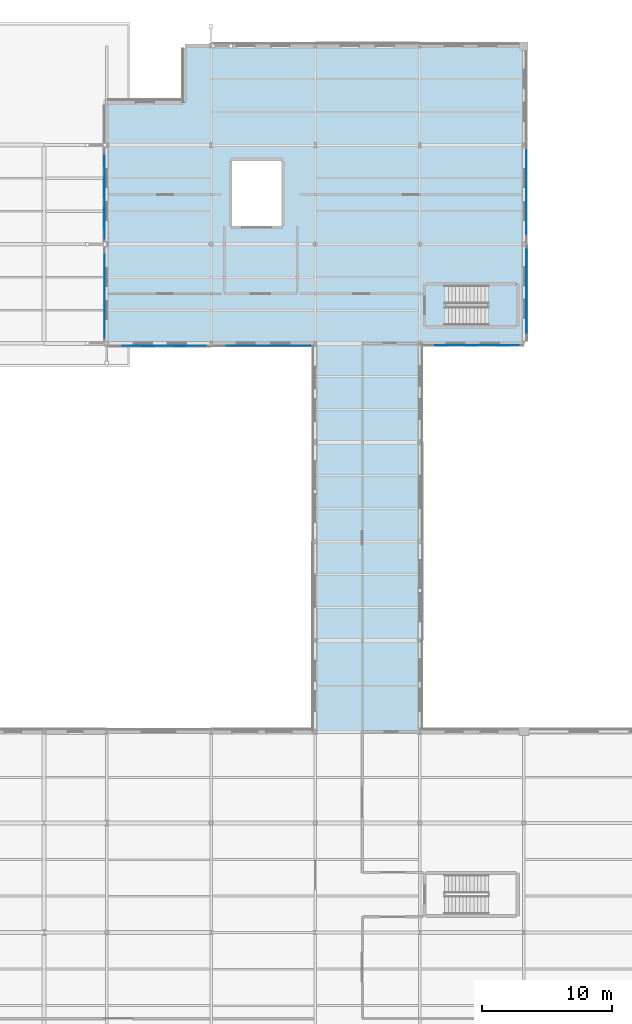
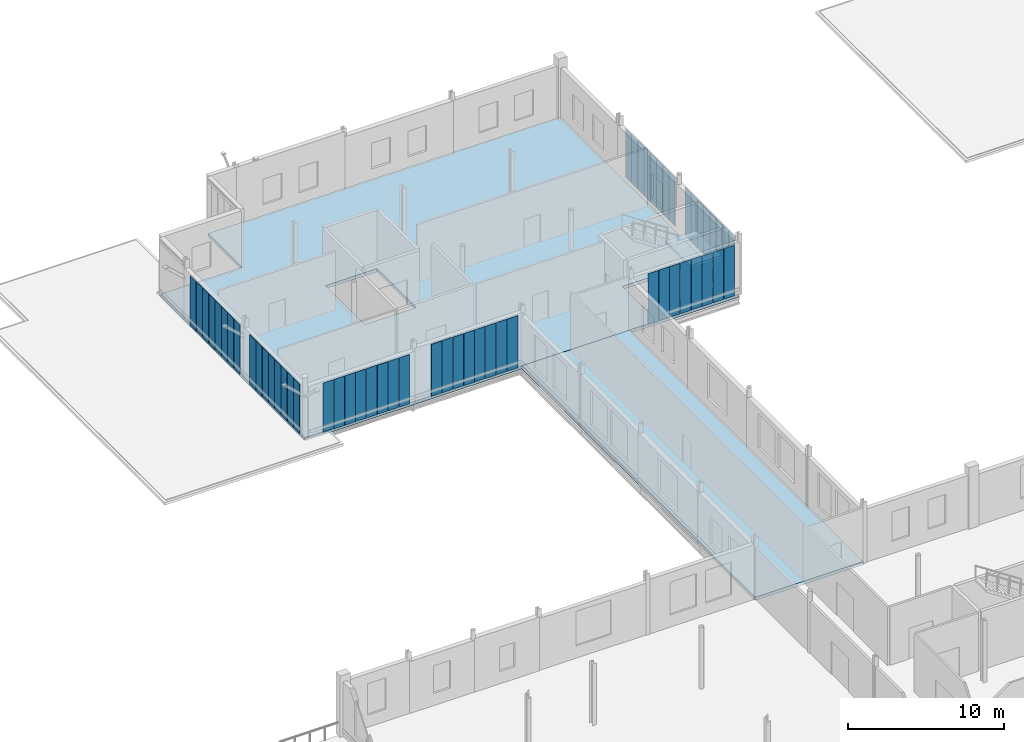
# One storey, part 82 of 120: 56 plates, 3 slabs, 1 element without a shape of its own.
"""IFC4 building model written with IfcOpenShell, lengths in metres."""

from ifc_helpers import new_model, si_unit, direction, frame, origin, origin_2d, place, context, subcontext, project, spatial, polyline, rectangle, outline, extrude, material, layer, layer_set, type_object, element, aggregate, save


model = new_model("IFC4")

# Units and contexts
model_context = context("Model", 3, precision=1e-05, world=origin(), true_north=direction((0.0, 1.0)))
body_context = subcontext(model_context, "Body", "Model", "MODEL_VIEW")
ifc_project = project(units=[si_unit("LENGTHUNIT", "METRE"), si_unit("AREAUNIT", "SQUARE_METRE"), si_unit("VOLUMEUNIT", "CUBIC_METRE"), si_unit("PLANEANGLEUNIT", "RADIAN"), si_unit("MASSUNIT", "GRAM", prefix="KILO")], contexts=[model_context])

# Site, building, storey
site_placement = place(None, origin())
site = spatial("IfcSite", under=ifc_project, at=site_placement, CompositionType="ELEMENT")
building_placement = place(site_placement, origin())
building = spatial("IfcBuilding", under=site, at=building_placement, Name="Vekula Escarpment Museum", CompositionType="ELEMENT")
storey_placement = place(building_placement, frame((0.0, 0.0, 13.199951171875)))
storey = spatial("IfcBuildingStorey", under=building, at=storey_placement, Name="L03", CompositionType="ELEMENT", Elevation=13.199951171875)

# Plates
ifc_material_1 = material(Name="Bronze-anodized perforated aluminium screen", Category="aluminium")
ifc_layer_1 = layer(ifc_material_1, 0.011962890625)
ifc_layer_set_1 = layer_set([ifc_layer_1], Name="Bronze-anodized perforated aluminium screen")
plate_type_1 = type_object("IfcPlateType", Name="PL-SEBEKE-12", PredefinedType="USERDEFINED", material=ifc_layer_set_1)
for number, where, z_axis, x_axis, name in (
    (1, (55.199951171875, 113.047119140625, 0.10009765625), (0.0, 0.0, 1.0), (1.0, 0.0, 0.0), "Perforated Sebeke Solar Screen 0001"),
    (2, (52.800048828125, 113.047119140625, 0.10009765625), (0.0, 0.0, 1.0), (1.0, 0.0, 0.0), "Perforated Sebeke Solar Screen 0004"),
    (3, (50.39990234375, 113.047119140625, 0.10009765625), (0.0, 0.0, 1.0), (1.0, 0.0, 0.0), "Perforated Sebeke Solar Screen 0007"),
):
    element("IfcPlate", number, at=place(storey_placement, frame(where, z_axis=z_axis, x_axis=x_axis)), inside=storey, type_object=plate_type_1, Name=name, ObjectType="SOLAR SCREEN", PredefinedType="USERDEFINED", context=body_context, shape_type="SweptSolid", body=[
        extrude(rectangle(XDim=0.780029296875, YDim=0.011962890625, at=origin_2d()), origin(), (0.0, 0.0, 1.0), 3.945068359375),
    ])
for number, where, z_axis, x_axis, name in (
    (4, (56.193115234375, 118.39990234375, 0.10009765625), (0.0, 0.0, 1.0), (0.0, 1.0, 0.0), "Perforated Sebeke Solar Screen 0011"),
    (5, (56.193115234375, 116.0, 0.10009765625), (0.0, 0.0, 1.0), (0.0, 1.0, 0.0), "Perforated Sebeke Solar Screen 0014"),
    (6, (56.177978515625, 126.800048828125, 0.10009765625), (0.0, 0.0, 1.0), (0.0, 1.0, 0.0), "Perforated Sebeke Solar Screen 0018"),
    (7, (56.177978515625, 124.39990234375, 0.10009765625), (0.0, 0.0, 1.0), (0.0, 1.0, 0.0), "Perforated Sebeke Solar Screen 0021"),
    (8, (56.177978515625, 122.0, 0.10009765625), (0.0, 0.0, 1.0), (0.0, 1.0, 0.0), "Perforated Sebeke Solar Screen 0024"),
):
    element("IfcPlate", number, at=place(storey_placement, frame(where, z_axis=z_axis, x_axis=x_axis)), inside=storey, type_object=plate_type_1, Name=name, ObjectType="SOLAR SCREEN", PredefinedType="USERDEFINED", context=body_context, shape_type="SweptSolid", body=[
        extrude(rectangle(XDim=0.780029296875, YDim=0.011962890625, at=origin_2d()), origin(), (0.0, 0.0, 1.0), 3.844970703125),
    ])
for number, where, z_axis, x_axis, name in (
    (9, (23.8369140625, 121.60009765625, 0.10009765625), (0.0, 0.0, 1.0), (0.0, 1.0, 0.0), "Perforated Sebeke Solar Screen 0067"),
    (10, (23.8369140625, 124.0, 0.10009765625), (0.0, 0.0, 1.0), (0.0, 1.0, 0.0), "Perforated Sebeke Solar Screen 0070"),
    (11, (23.8369140625, 126.39990234375, 0.10009765625), (0.0, 0.0, 1.0), (0.0, 1.0, 0.0), "Perforated Sebeke Solar Screen 0073"),
    (12, (23.846923828125, 115.60009765625, 0.10009765625), (0.0, 0.0, 1.0), (0.0, 1.0, 0.0), "Perforated Sebeke Solar Screen 0077"),
    (13, (23.846923828125, 118.0, 0.10009765625), (0.0, 0.0, 1.0), (0.0, 1.0, 0.0), "Perforated Sebeke Solar Screen 0080"),
):
    element("IfcPlate", number, at=place(storey_placement, frame(where, z_axis=z_axis, x_axis=x_axis)), inside=storey, type_object=plate_type_1, Name=name, ObjectType="SOLAR SCREEN", PredefinedType="USERDEFINED", context=body_context, shape_type="SweptSolid", body=[
        extrude(rectangle(XDim=0.780029296875, YDim=0.011962890625, at=origin_2d()), origin(), (0.0, 0.0, 1.0), 3.885009765625),
    ])
for number, where, z_axis, x_axis, name in (
    (14, (30.39990234375, 113.007080078125, 0.10009765625), (0.0, 0.0, 1.0), (1.0, 0.0, 0.0), "Perforated Sebeke Solar Screen 0084"),
    (15, (28.0, 113.007080078125, 0.10009765625), (0.0, 0.0, 1.0), (1.0, 0.0, 0.0), "Perforated Sebeke Solar Screen 0087"),
    (16, (25.60009765625, 113.007080078125, 0.10009765625), (0.0, 0.0, 1.0), (1.0, 0.0, 0.0), "Perforated Sebeke Solar Screen 0090"),
):
    element("IfcPlate", number, at=place(storey_placement, frame(where, z_axis=z_axis, x_axis=x_axis)), inside=storey, type_object=plate_type_1, Name=name, ObjectType="SOLAR SCREEN", PredefinedType="USERDEFINED", context=body_context, shape_type="SweptSolid", body=[
        extrude(rectangle(XDim=0.780029296875, YDim=0.011962890625, at=origin_2d()), origin(), (0.0, 0.0, 1.0), 3.844970703125),
    ])
for number, where, z_axis, x_axis, name in (
    (17, (39.199951171875, 113.02197265625, 0.10009765625), (0.0, 0.0, 1.0), (1.0, 0.0, 0.0), "Perforated Sebeke Solar Screen 0091"),
    (18, (36.800048828125, 113.02197265625, 0.10009765625), (0.0, 0.0, 1.0), (1.0, 0.0, 0.0), "Perforated Sebeke Solar Screen 0094"),
    (19, (34.39990234375, 113.02197265625, 0.10009765625), (0.0, 0.0, 1.0), (1.0, 0.0, 0.0), "Perforated Sebeke Solar Screen 0097"),
):
    element("IfcPlate", number, at=place(storey_placement, frame(where, z_axis=z_axis, x_axis=x_axis)), inside=storey, type_object=plate_type_1, Name=name, ObjectType="SOLAR SCREEN", PredefinedType="USERDEFINED", context=body_context, shape_type="SweptSolid", body=[
        extrude(rectangle(XDim=0.780029296875, YDim=0.011962890625, at=origin_2d()), origin(), (0.0, 0.0, 1.0), 4.06494140625),
    ])
ifc_material_2 = material(Name="Bronze-anodized perforated aluminium screen", Category="aluminium")
ifc_layer_2 = layer(ifc_material_2, 0.01806640625)
ifc_layer_set_2 = layer_set([ifc_layer_2], Name="Bronze-anodized perforated aluminium screen")
plate_type_2 = type_object("IfcPlateType", Name="PL-SEBEKE-18", PredefinedType="USERDEFINED", material=ifc_layer_set_2)
for number, where, z_axis, x_axis, name in (
    (20, (53.60009765625, 113.0439453125, 0.10009765625), (0.0, 0.0, 1.0), (1.0, 0.0, 0.0), "Perforated Sebeke Solar Screen 0003"),
    (21, (51.199951171875, 113.0439453125, 0.10009765625), (0.0, 0.0, 1.0), (1.0, 0.0, 0.0), "Perforated Sebeke Solar Screen 0006"),
):
    element("IfcPlate", number, at=place(storey_placement, frame(where, z_axis=z_axis, x_axis=x_axis)), inside=storey, type_object=plate_type_2, Name=name, ObjectType="SOLAR SCREEN", PredefinedType="USERDEFINED", context=body_context, shape_type="SweptSolid", body=[
        extrude(rectangle(XDim=0.780029296875, YDim=0.01806640625, at=origin_2d()), origin(), (0.0, 0.0, 1.0), 3.945068359375),
    ])
for number, where, z_axis, x_axis, name in (
    (22, (56.196044921875, 119.199951171875, 0.10009765625), (0.0, 0.0, 1.0), (0.0, 1.0, 0.0), "Perforated Sebeke Solar Screen 0010"),
    (23, (56.196044921875, 116.800048828125, 0.10009765625), (0.0, 0.0, 1.0), (0.0, 1.0, 0.0), "Perforated Sebeke Solar Screen 0013"),
    (24, (56.196044921875, 114.39990234375, 0.10009765625), (0.0, 0.0, 1.0), (0.0, 1.0, 0.0), "Perforated Sebeke Solar Screen 0016"),
    (25, (56.180908203125, 127.60009765625, 0.10009765625), (0.0, 0.0, 1.0), (0.0, 1.0, 0.0), "Perforated Sebeke Solar Screen 0017"),
    (26, (56.180908203125, 125.199951171875, 0.10009765625), (0.0, 0.0, 1.0), (0.0, 1.0, 0.0), "Perforated Sebeke Solar Screen 0020"),
    (27, (56.180908203125, 122.800048828125, 0.10009765625), (0.0, 0.0, 1.0), (0.0, 1.0, 0.0), "Perforated Sebeke Solar Screen 0023"),
):
    element("IfcPlate", number, at=place(storey_placement, frame(where, z_axis=z_axis, x_axis=x_axis)), inside=storey, type_object=plate_type_2, Name=name, ObjectType="SOLAR SCREEN", PredefinedType="USERDEFINED", context=body_context, shape_type="SweptSolid", body=[
        extrude(rectangle(XDim=0.780029296875, YDim=0.01806640625, at=origin_2d()), origin(), (0.0, 0.0, 1.0), 3.844970703125),
    ])
for number, where, z_axis, x_axis, name in (
    (28, (23.833984375, 123.199951171875, 0.10009765625), (0.0, 0.0, 1.0), (0.0, 1.0, 0.0), "Perforated Sebeke Solar Screen 0069"),
    (29, (23.833984375, 125.60009765625, 0.10009765625), (0.0, 0.0, 1.0), (0.0, 1.0, 0.0), "Perforated Sebeke Solar Screen 0072"),
    (30, (23.843994140625, 114.800048828125, 0.10009765625), (0.0, 0.0, 1.0), (0.0, 1.0, 0.0), "Perforated Sebeke Solar Screen 0076"),
    (31, (23.843994140625, 117.199951171875, 0.10009765625), (0.0, 0.0, 1.0), (0.0, 1.0, 0.0), "Perforated Sebeke Solar Screen 0079"),
    (32, (23.843994140625, 119.60009765625, 0.10009765625), (0.0, 0.0, 1.0), (0.0, 1.0, 0.0), "Perforated Sebeke Solar Screen 0082"),
):
    element("IfcPlate", number, at=place(storey_placement, frame(where, z_axis=z_axis, x_axis=x_axis)), inside=storey, type_object=plate_type_2, Name=name, ObjectType="SOLAR SCREEN", PredefinedType="USERDEFINED", context=body_context, shape_type="SweptSolid", body=[
        extrude(rectangle(XDim=0.780029296875, YDim=0.01806640625, at=origin_2d()), origin(), (0.0, 0.0, 1.0), 3.885009765625),
    ])
for number, where, z_axis, x_axis, name in (
    (33, (31.199951171875, 113.00390625, 0.10009765625), (0.0, 0.0, 1.0), (1.0, 0.0, 0.0), "Perforated Sebeke Solar Screen 0083"),
    (34, (28.800048828125, 113.00390625, 0.10009765625), (0.0, 0.0, 1.0), (1.0, 0.0, 0.0), "Perforated Sebeke Solar Screen 0086"),
    (35, (26.39990234375, 113.00390625, 0.10009765625), (0.0, 0.0, 1.0), (1.0, 0.0, 0.0), "Perforated Sebeke Solar Screen 0089"),
):
    element("IfcPlate", number, at=place(storey_placement, frame(where, z_axis=z_axis, x_axis=x_axis)), inside=storey, type_object=plate_type_2, Name=name, ObjectType="SOLAR SCREEN", PredefinedType="USERDEFINED", context=body_context, shape_type="SweptSolid", body=[
        extrude(rectangle(XDim=0.780029296875, YDim=0.01806640625, at=origin_2d()), origin(), (0.0, 0.0, 1.0), 3.844970703125),
    ])
for number, where, z_axis, x_axis, name in (
    (36, (37.60009765625, 113.01904296875, 0.10009765625), (0.0, 0.0, 1.0), (1.0, 0.0, 0.0), "Perforated Sebeke Solar Screen 0093"),
    (37, (35.199951171875, 113.01904296875, 0.10009765625), (0.0, 0.0, 1.0), (1.0, 0.0, 0.0), "Perforated Sebeke Solar Screen 0096"),
):
    element("IfcPlate", number, at=place(storey_placement, frame(where, z_axis=z_axis, x_axis=x_axis)), inside=storey, type_object=plate_type_2, Name=name, ObjectType="SOLAR SCREEN", PredefinedType="USERDEFINED", context=body_context, shape_type="SweptSolid", body=[
        extrude(rectangle(XDim=0.780029296875, YDim=0.01806640625, at=origin_2d()), origin(), (0.0, 0.0, 1.0), 4.06494140625),
    ])
ifc_material_3 = material(Name="Bronze-anodized perforated aluminium screen", Category="aluminium")
ifc_layer_3 = layer(ifc_material_3, 0.02197265625)
ifc_layer_set_3 = layer_set([ifc_layer_3], Name="Bronze-anodized perforated aluminium screen")
plate_type_3 = type_object("IfcPlateType", Name="PL-SEBEKE-22", PredefinedType="USERDEFINED", material=ifc_layer_set_3)
for number, where, z_axis, x_axis, name in (
    (38, (54.39990234375, 113.0419921875, 0.10009765625), (0.0, 0.0, 1.0), (1.0, 0.0, 0.0), "Perforated Sebeke Solar Screen 0002"),
    (39, (52.0, 113.0419921875, 0.10009765625), (0.0, 0.0, 1.0), (1.0, 0.0, 0.0), "Perforated Sebeke Solar Screen 0005"),
    (40, (49.60009765625, 113.0419921875, 0.10009765625), (0.0, 0.0, 1.0), (1.0, 0.0, 0.0), "Perforated Sebeke Solar Screen 0008"),
):
    element("IfcPlate", number, at=place(storey_placement, frame(where, z_axis=z_axis, x_axis=x_axis)), inside=storey, type_object=plate_type_3, Name=name, ObjectType="SOLAR SCREEN", PredefinedType="USERDEFINED", context=body_context, shape_type="SweptSolid", body=[
        extrude(rectangle(XDim=0.780029296875, YDim=0.02197265625, at=origin_2d()), origin(), (0.0, 0.0, 1.0), 3.945068359375),
    ])
for number, where, z_axis, x_axis, name in (
    (41, (56.197998046875, 120.0, 0.10009765625), (0.0, 0.0, 1.0), (0.0, 1.0, 0.0), "Perforated Sebeke Solar Screen 0009"),
    (42, (56.197998046875, 117.60009765625, 0.10009765625), (0.0, 0.0, 1.0), (0.0, 1.0, 0.0), "Perforated Sebeke Solar Screen 0012"),
    (43, (56.197998046875, 115.199951171875, 0.10009765625), (0.0, 0.0, 1.0), (0.0, 1.0, 0.0), "Perforated Sebeke Solar Screen 0015"),
    (44, (56.18310546875, 126.0, 0.10009765625), (0.0, 0.0, 1.0), (0.0, 1.0, 0.0), "Perforated Sebeke Solar Screen 0019"),
    (45, (56.18310546875, 123.60009765625, 0.10009765625), (0.0, 0.0, 1.0), (0.0, 1.0, 0.0), "Perforated Sebeke Solar Screen 0022"),
):
    element("IfcPlate", number, at=place(storey_placement, frame(where, z_axis=z_axis, x_axis=x_axis)), inside=storey, type_object=plate_type_3, Name=name, ObjectType="SOLAR SCREEN", PredefinedType="USERDEFINED", context=body_context, shape_type="SweptSolid", body=[
        extrude(rectangle(XDim=0.780029296875, YDim=0.02197265625, at=origin_2d()), origin(), (0.0, 0.0, 1.0), 3.844970703125),
    ])
for number, where, z_axis, x_axis, name in (
    (46, (23.83203125, 122.39990234375, 0.10009765625), (0.0, 0.0, 1.0), (0.0, 1.0, 0.0), "Perforated Sebeke Solar Screen 0068"),
    (47, (23.83203125, 124.800048828125, 0.10009765625), (0.0, 0.0, 1.0), (0.0, 1.0, 0.0), "Perforated Sebeke Solar Screen 0071"),
    (48, (23.83203125, 127.199951171875, 0.10009765625), (0.0, 0.0, 1.0), (0.0, 1.0, 0.0), "Perforated Sebeke Solar Screen 0074"),
    (49, (23.842041015625, 114.0, 0.10009765625), (0.0, 0.0, 1.0), (0.0, 1.0, 0.0), "Perforated Sebeke Solar Screen 0075"),
    (50, (23.842041015625, 116.39990234375, 0.10009765625), (0.0, 0.0, 1.0), (0.0, 1.0, 0.0), "Perforated Sebeke Solar Screen 0078"),
    (51, (23.842041015625, 118.800048828125, 0.10009765625), (0.0, 0.0, 1.0), (0.0, 1.0, 0.0), "Perforated Sebeke Solar Screen 0081"),
):
    element("IfcPlate", number, at=place(storey_placement, frame(where, z_axis=z_axis, x_axis=x_axis)), inside=storey, type_object=plate_type_3, Name=name, ObjectType="SOLAR SCREEN", PredefinedType="USERDEFINED", context=body_context, shape_type="SweptSolid", body=[
        extrude(rectangle(XDim=0.780029296875, YDim=0.02197265625, at=origin_2d()), origin(), (0.0, 0.0, 1.0), 3.885009765625),
    ])
for number, where, z_axis, x_axis, name in (
    (52, (29.60009765625, 113.001953125, 0.10009765625), (0.0, 0.0, 1.0), (1.0, 0.0, 0.0), "Perforated Sebeke Solar Screen 0085"),
    (53, (27.199951171875, 113.001953125, 0.10009765625), (0.0, 0.0, 1.0), (1.0, 0.0, 0.0), "Perforated Sebeke Solar Screen 0088"),
):
    element("IfcPlate", number, at=place(storey_placement, frame(where, z_axis=z_axis, x_axis=x_axis)), inside=storey, type_object=plate_type_3, Name=name, ObjectType="SOLAR SCREEN", PredefinedType="USERDEFINED", context=body_context, shape_type="SweptSolid", body=[
        extrude(rectangle(XDim=0.780029296875, YDim=0.02197265625, at=origin_2d()), origin(), (0.0, 0.0, 1.0), 3.844970703125),
    ])
for number, where, z_axis, x_axis, name in (
    (54, (38.39990234375, 113.01708984375, 0.10009765625), (0.0, 0.0, 1.0), (1.0, 0.0, 0.0), "Perforated Sebeke Solar Screen 0092"),
    (55, (36.0, 113.01708984375, 0.10009765625), (0.0, 0.0, 1.0), (1.0, 0.0, 0.0), "Perforated Sebeke Solar Screen 0095"),
    (56, (33.60009765625, 113.01708984375, 0.10009765625), (0.0, 0.0, 1.0), (1.0, 0.0, 0.0), "Perforated Sebeke Solar Screen 0098"),
):
    element("IfcPlate", number, at=place(storey_placement, frame(where, z_axis=z_axis, x_axis=x_axis)), inside=storey, type_object=plate_type_3, Name=name, ObjectType="SOLAR SCREEN", PredefinedType="USERDEFINED", context=body_context, shape_type="SweptSolid", body=[
        extrude(rectangle(XDim=0.780029296875, YDim=0.02197265625, at=origin_2d()), origin(), (0.0, 0.0, 1.0), 4.06494140625),
    ])

# Slabs
ifc_material_4 = material(Name="Concrete C35/45", Category="concrete")
ifc_layer_4 = layer(ifc_material_4, 0.25)
ifc_layer_set_4 = layer_set([ifc_layer_4], Name="Concrete C35/45")
slab_type_1 = type_object("IfcSlabType", Name="SL-FLR-250", PredefinedType="FLOOR", material=ifc_layer_set_4)
slab_1_placement = place(storey_placement, frame((0.0, 0.0, -0.25)))
element("IfcSlab", 57, at=slab_1_placement, inside=storey, type_object=slab_type_1, Name="Floor Slab W-L03-V5-NW", PredefinedType="FLOOR", context=body_context, shape_type="SweptSolid", body=[
    extrude(outline(polyline([(24.0, 113.199951171875), (56.0, 113.199951171875), (56.0, 136.0), (30.0, 136.0), (30.0, 131.66796875), (24.0, 131.66796875), (24.0, 113.199951171875)]), holes=[polyline([(49.97998046875, 114.60009765625), (55.39990234375, 114.60009765625), (55.39990234375, 117.639892578125), (49.97998046875, 117.639892578125), (49.97998046875, 114.60009765625)]), polyline([(33.60009765625, 122.199951171875), (37.39990234375, 122.199951171875), (37.39990234375, 127.199951171875), (33.60009765625, 127.199951171875), (33.60009765625, 122.199951171875)])]), origin(), (0.0, 0.0, 1.0), 0.25),
])
slab_2_placement = place(storey_placement, frame((0.0, 0.0, -0.25)))
element("IfcSlab", 58, at=slab_2_placement, inside=storey, type_object=slab_type_1, Name="Floor Slab W-L03-V5-LNK", PredefinedType="FLOOR", context=body_context, shape_type="SweptSolid", body=[
    extrude(outline(polyline([(40.0, 83.39990234375), (48.0, 83.39990234375), (48.0, 113.199951171875), (40.0, 113.199951171875), (40.0, 83.39990234375)])), origin(), (0.0, 0.0, 1.0), 0.25),
])

# Stair, slab
ifc_material_5 = material(Name="Concrete C35/45", Category="concrete")
stair_type = type_object("IfcStairType", Name="STR-TYPE-142", PredefinedType="HALF_TURN_STAIR", material=ifc_material_5)
stair_placement = place(storey_placement, origin())
stair = element("IfcStair", 59, at=stair_placement, inside=storey, type_object=stair_type, Name="L03 Archive and Lab Exit Stair ST-03", PredefinedType="HALF_TURN_STAIR")
ifc_material_6 = material(Name="Concrete C35/45", Category="concrete")
ifc_layer_5 = layer(ifc_material_6, 0.199951171875)
ifc_layer_set_5 = layer_set([ifc_layer_5], Name="Concrete C35/45")
slab_type_2 = type_object("IfcSlabType", Name="SL-LAND-200", PredefinedType="LANDING", material=ifc_layer_set_5)
slab_3_placement = place(storey_placement, frame((0.0, 0.0, 2.199951171875)))
slab_3 = element("IfcSlab", 60, at=slab_3_placement, type_object=slab_type_2, Name="ST-03 landing 1", PredefinedType="LANDING", context=body_context, shape_type="SweptSolid", body=[
    extrude(outline(polyline([(53.18994140625, 114.510009765625), (55.489990234375, 114.510009765625), (55.489990234375, 117.72998046875), (53.18994140625, 117.72998046875), (53.18994140625, 114.510009765625)])), origin(), (0.0, 0.0, 1.0), 0.2001953125),
])
aggregate(stair, [slab_3])

save(model, "model.ifc")
